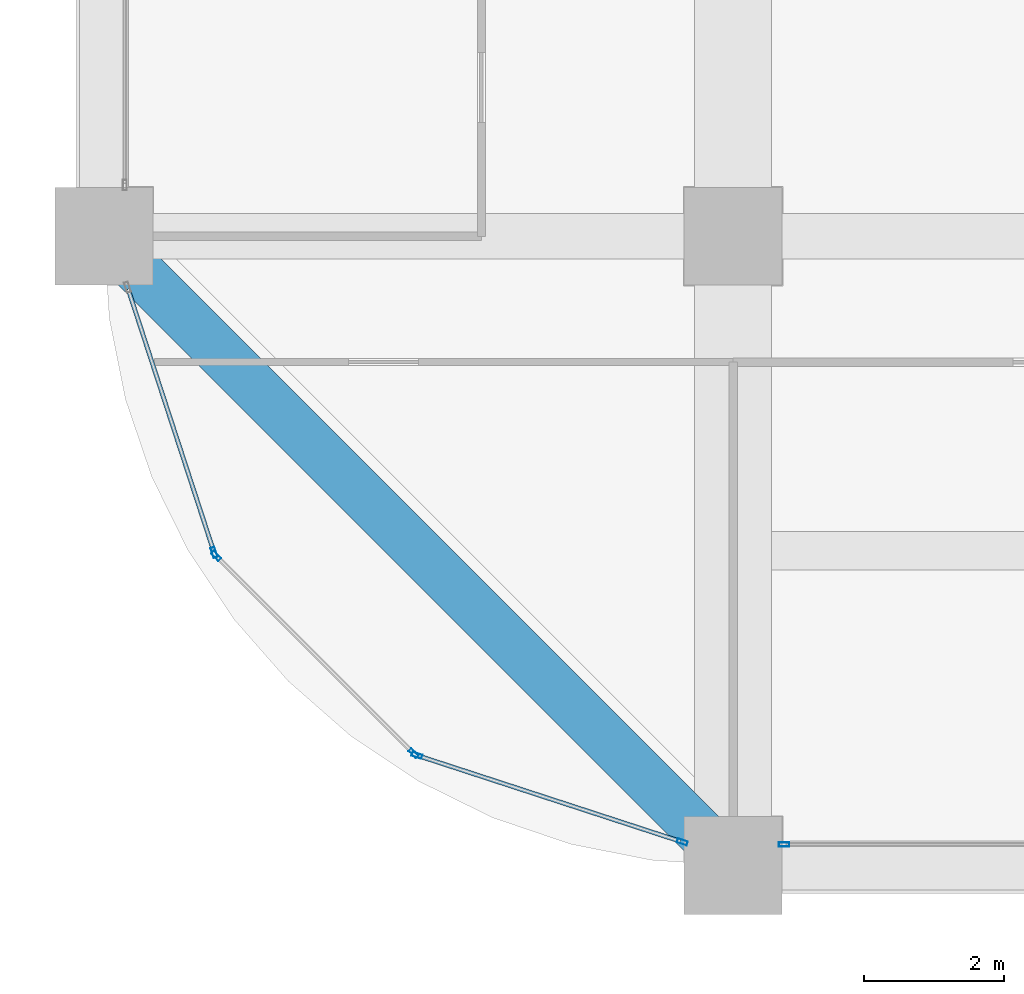
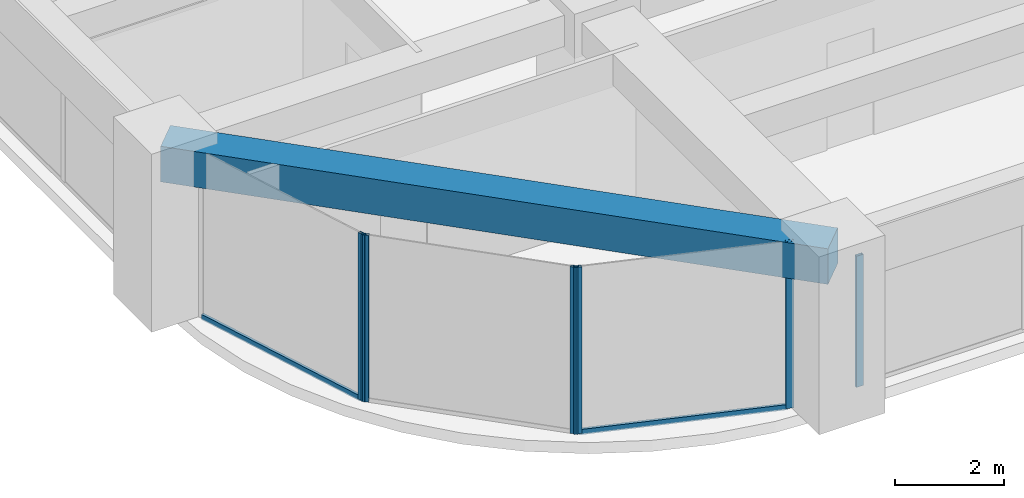
# One storey, part 2 of 34: 8 members, 1 beam, 4 elements without a shape of their own.
"""IFC4 building model written with IfcOpenShell, lengths in metres."""

from ifc_helpers import new_model, si_unit, direction, frame, origin, origin_2d, place, context, subcontext, project, spatial, rectangle, hollow_rectangle, extrude, material, material_profile, profile_set, type_object, element, aggregate, save


model = new_model("IFC4")

# Units and contexts
model_context = context("Model", 3, precision=1e-05, world=origin(), true_north=direction((0.0, 1.0)))
body_context = subcontext(model_context, "Body", "Model", "MODEL_VIEW")
ifc_project = project(units=[si_unit("LENGTHUNIT", "METRE"), si_unit("AREAUNIT", "SQUARE_METRE"), si_unit("VOLUMEUNIT", "CUBIC_METRE"), si_unit("PLANEANGLEUNIT", "RADIAN"), si_unit("MASSUNIT", "GRAM", prefix="KILO")], contexts=[model_context])

# Site, building, storey
site_placement = place(None, origin())
site = spatial("IfcSite", under=ifc_project, at=site_placement, CompositionType="ELEMENT")
building_placement = place(site_placement, origin())
building = spatial("IfcBuilding", under=site, at=building_placement, Name="Zorevar Civic Tower", CompositionType="ELEMENT")
storey_placement = place(building_placement, frame((0.0, 0.0, 214.199951171875)))
storey = spatial("IfcBuildingStorey", under=building, at=storey_placement, Name="L52", CompositionType="ELEMENT", Elevation=214.199951171875)

# Curtain wall, member
ifc_material_1 = material(Name="Dark grey solar-control glass in black aluminium frame", Category="aluminium")
curtain_wall_type = type_object("IfcCurtainWallType", Name="Curtain wall CW4 high zone", PredefinedType="NOTDEFINED", material=ifc_material_1)
curtain_wall_1_placement = place(storey_placement, origin())
curtain_wall_1 = element("IfcCurtainWall", 1, at=curtain_wall_1_placement, inside=storey, type_object=curtain_wall_type, Name="CW4 L52", PredefinedType="NOTDEFINED")
ifc_material_2 = material(Name="Aluminium, black anodised", Category="aluminium")
ifc_material_profile_1 = material_profile(ifc_material_2, hollow_rectangle(XDim=0.06005859375, YDim=0.14990234375, WallThickness=0.00390625, at=origin_2d()), Name="AL 150x60x4")
ifc_profile_set_1 = profile_set([ifc_material_profile_1], Name="Aluminium, black anodised")
member_type_1 = type_object("IfcMemberType", Name="CW4 mullion AL 150x60x4", PredefinedType="MULLION", material=ifc_profile_set_1)
member_1_placement = place(storey_placement, frame((9.72998046875, 0.300048828125, 0.0), z_axis=(0.0, 0.0, 1.0), x_axis=(0.0, 1.0, 0.0)))
member_1 = element("IfcMember", 2, at=member_1_placement, type_object=member_type_1, Name="CW4 mullion 1", PredefinedType="MULLION", context=body_context, shape_type="SweptSolid", body=[
    extrude(hollow_rectangle(XDim=0.06005859375, YDim=0.14990234375, WallThickness=0.00390625, at=origin_2d()), origin(), (0.0, 0.0, 1.0), 2.949951171875),
])
aggregate(curtain_wall_1, [member_1])

curtain_wall_2_placement = place(storey_placement, origin())
curtain_wall_2 = element("IfcCurtainWall", 3, at=curtain_wall_2_placement, inside=storey, type_object=curtain_wall_type, Name="CW4 L52", PredefinedType="NOTDEFINED")
member_2_placement = place(storey_placement, frame((1.57568359375, 4.477783203125, 0.0), z_axis=(0.0, 0.0, 1.0), x_axis=(0.950644749916, 0.310281419775, 0.0)))
member_2 = element("IfcMember", 4, at=member_2_placement, type_object=member_type_1, Name="CW4 mullion 2", PredefinedType="MULLION", context=body_context, shape_type="SweptSolid", body=[
    extrude(hollow_rectangle(XDim=0.06005859375, YDim=0.14990234375, WallThickness=0.00390625, at=origin_2d()), origin(), (0.0, 0.0, 1.0), 3.75),
])

# Curtain wall, members
curtain_wall_3_placement = place(storey_placement, origin())
curtain_wall_3 = element("IfcCurtainWall", 5, at=curtain_wall_3_placement, inside=storey, type_object=curtain_wall_type, Name="CW4 L52", PredefinedType="NOTDEFINED")
member_3_placement = place(storey_placement, frame((1.606201171875, 4.427978515625, 0.0), z_axis=(0.0, 0.0, 1.0), x_axis=(0.707106781187, 0.707106781187, 0.0)))
member_3 = element("IfcMember", 6, at=member_3_placement, type_object=member_type_1, Name="CW4 mullion 1", PredefinedType="MULLION", context=body_context, shape_type="SweptSolid", body=[
    extrude(hollow_rectangle(XDim=0.06005859375, YDim=0.14990234375, WallThickness=0.00390625, at=origin_2d()), origin(), (0.0, 0.0, 1.0), 3.75),
])
member_4_placement = place(storey_placement, frame((4.427978515625, 1.606201171875, 0.0), z_axis=(0.0, 0.0, 1.0), x_axis=(0.707106781187, 0.707106781187, 0.0)))
member_4 = element("IfcMember", 7, at=member_4_placement, type_object=member_type_1, Name="CW4 mullion 2", PredefinedType="MULLION", context=body_context, shape_type="SweptSolid", body=[
    extrude(hollow_rectangle(XDim=0.06005859375, YDim=0.14990234375, WallThickness=0.00390625, at=origin_2d()), origin(), (0.0, 0.0, 1.0), 3.75),
])
aggregate(curtain_wall_3, [member_3, member_4])

curtain_wall_4_placement = place(storey_placement, origin())
curtain_wall_4 = element("IfcCurtainWall", 8, at=curtain_wall_4_placement, inside=storey, type_object=curtain_wall_type, Name="CW4 L52", PredefinedType="NOTDEFINED")
member_5_placement = place(storey_placement, frame((4.477783203125, 1.57568359375, 0.0), z_axis=(0.0, 0.0, 1.0), x_axis=(0.310281419775, 0.950644749916, 0.0)))
member_5 = element("IfcMember", 9, at=member_5_placement, type_object=member_type_1, Name="CW4 mullion 1", PredefinedType="MULLION", context=body_context, shape_type="SweptSolid", body=[
    extrude(hollow_rectangle(XDim=0.06005859375, YDim=0.14990234375, WallThickness=0.00390625, at=origin_2d()), origin(), (0.0, 0.0, 1.0), 3.75),
])
member_6_placement = place(storey_placement, frame((8.271484375, 0.337646484375, 0.0), z_axis=(0.0, 0.0, 1.0), x_axis=(0.310281419775, 0.950644749916, 0.0)))
member_6 = element("IfcMember", 10, at=member_6_placement, type_object=member_type_1, Name="CW4 mullion 2", PredefinedType="MULLION", context=body_context, shape_type="SweptSolid", body=[
    extrude(hollow_rectangle(XDim=0.06005859375, YDim=0.14990234375, WallThickness=0.00390625, at=origin_2d()), origin(), (0.0, 0.0, 1.0), 3.75),
])

# Member
ifc_material_3 = material(Name="Aluminium, black anodised", Category="aluminium")
ifc_material_profile_2 = material_profile(ifc_material_3, hollow_rectangle(XDim=0.06005859375, YDim=0.1201171875, WallThickness=0.0029296875, at=origin_2d()), Name="AL 120x60x3")
ifc_profile_set_2 = profile_set([ifc_material_profile_2], Name="Aluminium, black anodised")
member_type_2 = type_object("IfcMemberType", Name="CW4 transom AL 120x60x3", PredefinedType="USERDEFINED", material=ifc_profile_set_2)
member_7_placement = place(storey_placement, frame((0.346923828125, 8.242919921875, 0.030029296875), z_axis=(0.31025859143, -0.950652200568, 0.0), x_axis=(0.950652200568, 0.31025859143, 0.0)))
member_7 = element("IfcMember", 11, at=member_7_placement, type_object=member_type_2, Name="CW4 sill transom", ObjectType="TRANSOM", PredefinedType="USERDEFINED", context=body_context, shape_type="SweptSolid", body=[
    extrude(hollow_rectangle(XDim=0.06005859375, YDim=0.1201171875, WallThickness=0.0029296875, at=origin_2d()), origin(), (0.0, 0.0, 1.0), 3.930419921875),
])

aggregate(curtain_wall_2, [member_2, member_7])

member_8_placement = place(storey_placement, frame((4.50634765625, 1.56640625, 0.030029296875), z_axis=(0.950652200568, -0.31025859143, 0.0), x_axis=(0.31025859143, 0.950652200568, 0.0)))
member_8 = element("IfcMember", 12, at=member_8_placement, type_object=member_type_2, Name="CW4 sill transom", ObjectType="TRANSOM", PredefinedType="USERDEFINED", context=body_context, shape_type="SweptSolid", body=[
    extrude(hollow_rectangle(XDim=0.06005859375, YDim=0.1201171875, WallThickness=0.0029296875, at=origin_2d()), origin(), (0.0, 0.0, 1.0), 3.930419921875),
])

aggregate(curtain_wall_4, [member_5, member_6, member_8])

# Beam
ifc_material_4 = material(Name="Concrete C50/60", Category="concrete")
ifc_material_profile_3 = material_profile(ifc_material_4, rectangle(XDim=0.699951171875, YDim=0.800048828125, at=origin_2d()), Name="RC 700x800")
ifc_profile_set_3 = profile_set([ifc_material_profile_3], Name="Concrete C50/60")
beam_type = type_object("IfcBeamType", Name="Edge beam RC 700x800", PredefinedType="SPANDREL", material=ifc_profile_set_3)
beam_placement = place(storey_placement, frame((0.0, 9.0, 3.35009765625), z_axis=(0.707106781187, -0.707106781187, 0.0), x_axis=(0.707106781187, 0.707106781187, 0.0)))
element("IfcBeam", 13, at=beam_placement, inside=storey, type_object=beam_type, Name="Corner edge beam L53", PredefinedType="SPANDREL", context=body_context, shape_type="SweptSolid", body=[
    extrude(rectangle(XDim=0.699951171875, YDim=0.800048828125, at=origin_2d()), origin(), (0.0, 0.0, 1.0), 12.72802734375),
])

save(model, "model.ifc")
